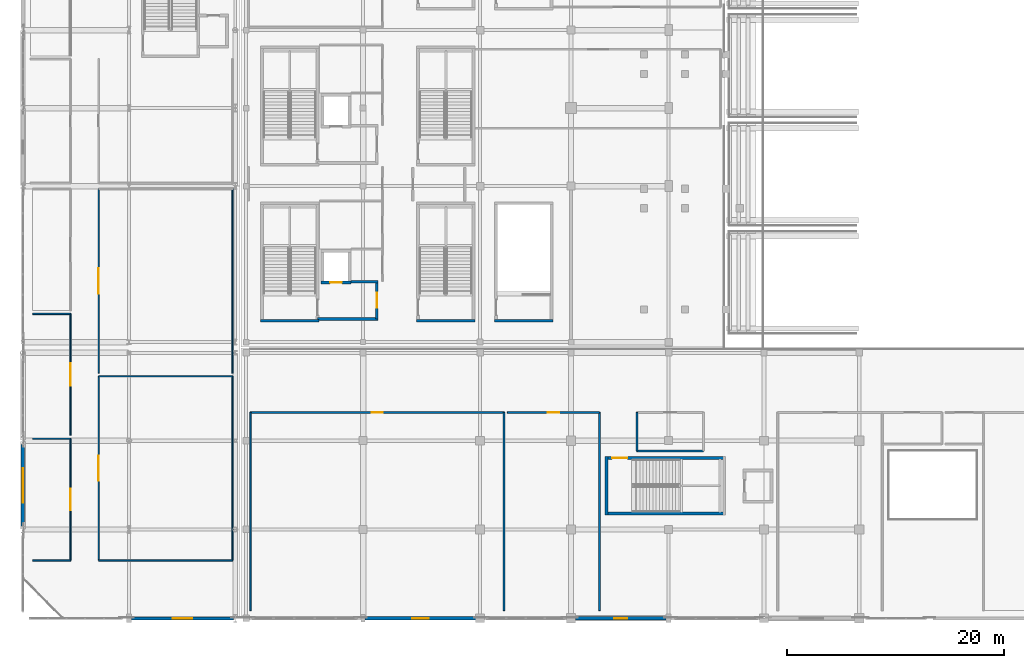
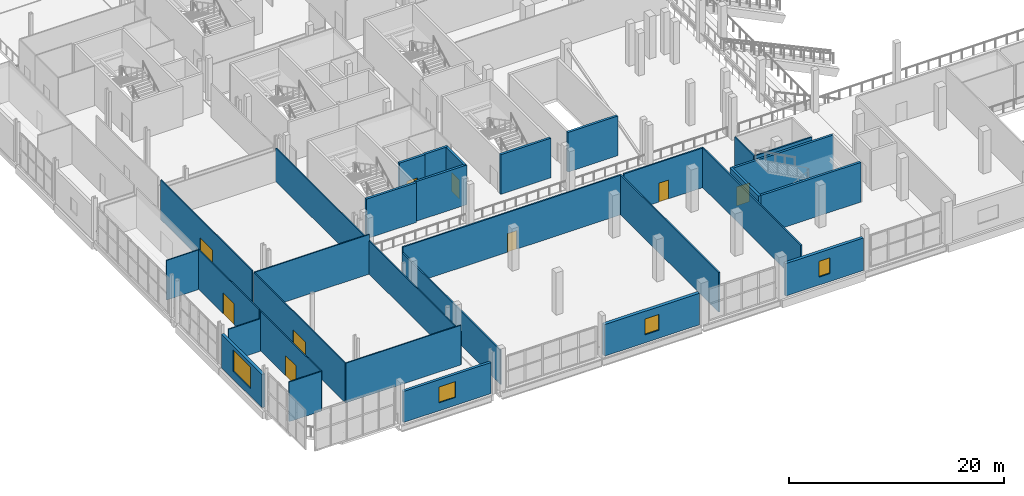
# One storey, part 69 of 129: 32 walls, 9 doors, 4 windows, 13 openings.
"""IFC4 building model written with IfcOpenShell, lengths in metres."""

from ifc_helpers import new_model, si_unit, direction, frame, frame_2d, origin, place, context, subcontext, project, spatial, rectangle, extrude, material, layer, layer_set, type_object, element, fill, save


model = new_model("IFC4")

# Units and contexts
model_context = context("Model", 3, precision=1e-05, world=origin(), true_north=direction((0.0, 1.0)))
body_context = subcontext(model_context, "Body", "Model", "MODEL_VIEW")
ifc_project = project(units=[si_unit("LENGTHUNIT", "METRE"), si_unit("AREAUNIT", "SQUARE_METRE"), si_unit("VOLUMEUNIT", "CUBIC_METRE"), si_unit("PLANEANGLEUNIT", "RADIAN"), si_unit("MASSUNIT", "GRAM", prefix="KILO")], contexts=[model_context])

# Site, building, storey
site_placement = place(None, origin())
site = spatial("IfcSite", under=ifc_project, at=site_placement, CompositionType="ELEMENT")
building_placement = place(site_placement, origin())
building = spatial("IfcBuilding", under=site, at=building_placement, Name="Koshinbarg Plaza Stadium", CompositionType="ELEMENT")
storey_placement = place(building_placement, frame((0.0, 0.0, 5.39990234375)))
storey = spatial("IfcBuildingStorey", under=building, at=storey_placement, Name="L01", CompositionType="ELEMENT", Elevation=5.39990234375)

# Walls
ifc_material_1 = material(Name="Concrete C40/50", Category="concrete")
ifc_layer_1 = layer(ifc_material_1, 0.25)
ifc_layer_set_1 = layer_set([ifc_layer_1], Name="Concrete C40/50")
wall_type_1 = type_object("IfcWallType", Name="WL-CORE-250", PredefinedType="SHEAR", material=ifc_layer_set_1)
wall_1_placement = place(storey_placement, frame((25.949951171875, 27.47509765625, 0.0), z_axis=(0.0, 0.0, 1.0), x_axis=(1.0, 0.0, 0.0)))
element("IfcWall", 1, at=wall_1_placement, inside=storey, type_object=wall_type_1, Name="L01 core stair shear wall C01-near IWL-L01-0005", PredefinedType="SHEAR", context=body_context, shape_type="SweptSolid", body=[
    extrude(rectangle(XDim=5.3701171875, YDim=0.25, at=frame_2d((2.68505859375, 0.0))), origin(), (0.0, 0.0, 1.0), 4.5),
])
wall_2_placement = place(storey_placement, frame((57.875, 14.919921875, 0.0), z_axis=(0.0, 0.0, 1.0), x_axis=(0.0, -1.0, 0.0)))
element("IfcWall", 2, at=wall_2_placement, inside=storey, type_object=wall_type_1, Name="L01 core stair shear wall C13-near IWL-L01-0294", PredefinedType="SHEAR", context=body_context, shape_type="SweptSolid", body=[
    extrude(rectangle(XDim=5.369873046875, YDim=0.25, at=frame_2d((2.68505859375, 0.0))), origin(), (0.0, 0.0, 1.0), 4.5),
])

# Wall, opening, door
wall_3_placement = place(storey_placement, frame((57.875, 14.794921875, 0.0), z_axis=(0.0, 0.0, 1.0), x_axis=(1.0, 0.0, 0.0)))
wall_3 = element("IfcWall", 3, at=wall_3_placement, inside=storey, type_object=wall_type_1, Name="L01 core stair shear wall C13-left IWL-L01-0296", PredefinedType="SHEAR", context=body_context, shape_type="SweptSolid", body=[
    extrude(rectangle(XDim=10.85009765625, YDim=0.25, at=frame_2d((5.425048828125, 0.0))), origin(), (0.0, 0.0, 1.0), 4.5),
])
opening_1_placement = place(wall_3_placement, frame((0.52001953125, 0.0, 0.0)))
opening_1 = element("IfcOpeningElement", 4, at=opening_1_placement, cuts=wall_3, Name="Opening D-0136", PredefinedType="OPENING", context=body_context, shape_type="SweptSolid", body=[
    extrude(rectangle(XDim=1.39990234375, YDim=2.14990234375, at=frame_2d((0.699951171875, 1.074951171875))), frame((0.0, 0.135009765625, 0.0), z_axis=(0.0, -1.0, 0.0), x_axis=(1.0, 0.0, 0.0)), (0.0, 0.0, 1.0), 0.27001953125),
])
ifc_material_2 = material(Name="Painted galvanized steel fire door", Category="steel")
door_type_1 = type_object("IfcDoorType", Name="DR-STAIR-1400", OperationType="NOTDEFINED", PredefinedType="DOOR", material=ifc_material_2)
door_1_placement = place(opening_1_placement, frame((1.39990234375, 0.0, 0.0), z_axis=(0.0, 0.0, 1.0), x_axis=(-1.0, 0.0, 0.0)))
door_1 = element("IfcDoor", 5, at=door_1_placement, inside=storey, type_object=door_type_1, Name="L01 exit stair door C13", OperationType="SINGLE_SWING_RIGHT", OverallHeight=2.14990234375, OverallWidth=1.39990234375, PredefinedType="DOOR", context=body_context, shape_type="SweptSolid", body=[
    extrude(rectangle(XDim=1.39990234375, YDim=2.14990234375, at=frame_2d((0.699951171875, 1.074951171875))), frame((0.0, 0.02490234375, 0.0), z_axis=(0.0, -1.0, 0.0), x_axis=(1.0, 0.0, 0.0)), (0.0, 0.0, 1.0), 0.050048828125),
])
fill(opening_1, door_1)

# Walls
wall_4_placement = place(storey_placement, frame((57.875, 9.675048828125, 0.0), z_axis=(0.0, 0.0, 1.0), x_axis=(1.0, 0.0, 0.0)))
element("IfcWall", 6, at=wall_4_placement, inside=storey, type_object=wall_type_1, Name="L01 core stair shear wall C13-right IWL-L01-0297", PredefinedType="SHEAR", context=body_context, shape_type="SweptSolid", body=[
    extrude(rectangle(XDim=10.85009765625, YDim=0.25, at=frame_2d((5.425048828125, 0.0))), origin(), (0.0, 0.0, 1.0), 4.5),
])
for number, where, z_axis, x_axis, name in (
    (7, (40.35009765625, 27.47509765625, 0.0), (0.0, 0.0, 1.0), (1.0, 0.0, 0.0), "L01 vomitory stair shear wall VX01-near IWL-L01-0358"),
    (8, (47.550048828125, 27.47509765625, 0.0), (0.0, 0.0, 1.0), (1.0, 0.0, 0.0), "L01 vomitory stair shear wall VL01-near IWL-L01-0550"),
):
    element("IfcWall", number, at=place(storey_placement, frame(where, z_axis=z_axis, x_axis=x_axis)), inside=storey, type_object=wall_type_1, Name=name, PredefinedType="SHEAR", context=body_context, shape_type="SweptSolid", body=[
        extrude(rectangle(XDim=5.369873046875, YDim=0.25, at=frame_2d((2.68505859375, 0.0))), origin(), (0.0, 0.0, 1.0), 4.5),
    ])

# Wall, opening, door
wall_5_placement = place(storey_placement, frame((31.52490234375, 31.0, 0.0), z_axis=(0.0, 0.0, 1.0), x_axis=(1.0, 0.0, 0.0)))
wall_5 = element("IfcWall", 9, at=wall_5_placement, inside=storey, type_object=wall_type_1, Name="L01 lift shaft shear wall FL01-S IWL-L01-0617", PredefinedType="SHEAR", context=body_context, shape_type="SweptSolid", body=[
    extrude(rectangle(XDim=2.75, YDim=0.25, at=frame_2d((1.375, 0.0))), origin(), (0.0, 0.0, 1.0), 4.5),
])
opening_2_placement = place(wall_5_placement, frame((0.824951171875, 0.0, 0.0)))
opening_2 = element("IfcOpeningElement", 10, at=opening_2_placement, cuts=wall_5, Name="Opening D-0217", PredefinedType="OPENING", context=body_context, shape_type="SweptSolid", body=[
    extrude(rectangle(XDim=1.10009765625, YDim=2.14990234375, at=frame_2d((0.550048828125, 1.074951171875))), frame((0.0, 0.135009765625, 0.0), z_axis=(0.0, -1.0, 0.0), x_axis=(1.0, 0.0, 0.0)), (0.0, 0.0, 1.0), 0.27001953125),
])
ifc_material_3 = material(Name="Brushed stainless steel sliding lift landing door", Category="steel")
door_type_2 = type_object("IfcDoorType", Name="DR-LIFT-1100", OperationType="NOTDEFINED", PredefinedType="DOOR", material=ifc_material_3)
door_2_placement = place(opening_2_placement, origin())
door_2 = element("IfcDoor", 11, at=door_2_placement, inside=storey, type_object=door_type_2, Name="L01 lift landing door FL01", OperationType="SLIDING_TO_RIGHT", OverallHeight=2.14990234375, OverallWidth=1.10009765625, PredefinedType="DOOR", context=body_context, shape_type="SweptSolid", body=[
    extrude(rectangle(XDim=1.10009765625, YDim=2.14990234375, at=frame_2d((0.550048828125, 1.074951171875))), frame((0.0, 0.02490234375, 0.0), z_axis=(0.0, -1.0, 0.0), x_axis=(1.0, 0.0, 0.0)), (0.0, 0.0, 1.0), 0.050048828125),
])
fill(opening_2, door_2)

wall_6_placement = place(storey_placement, frame((36.675048828125, 27.625, 0.0), z_axis=(0.0, 0.0, 1.0), x_axis=(0.0, 1.0, 0.0)))
wall_6 = element("IfcWall", 12, at=wall_6_placement, inside=storey, type_object=wall_type_1, Name="L01 firefighting lobby wall C01-E IWL-L01-0621", PredefinedType="SHEAR", context=body_context, shape_type="SweptSolid", body=[
    extrude(rectangle(XDim=3.449951171875, YDim=0.25, at=frame_2d((1.72509765625, 0.0))), origin(), (0.0, 0.0, 1.0), 4.5),
])
opening_3_placement = place(wall_6_placement, frame((1.02490234375, 0.0, 0.0)))
opening_3 = element("IfcOpeningElement", 13, at=opening_3_placement, cuts=wall_6, Name="Opening D-0218", PredefinedType="OPENING", context=body_context, shape_type="SweptSolid", body=[
    extrude(rectangle(XDim=1.39990234375, YDim=2.14990234375, at=frame_2d((0.699951171875, 1.074951171875))), frame((0.0, 0.135009765625, 0.0), z_axis=(0.0, -1.0, 0.0), x_axis=(1.0, 0.0, 0.0)), (0.0, 0.0, 1.0), 0.27001953125),
])
ifc_material_4 = material(Name="Smoke-sealed steel firefighting lobby door", Category="steel")
door_type_3 = type_object("IfcDoorType", Name="DR-FFLOB-1400", OperationType="NOTDEFINED", PredefinedType="DOOR", material=ifc_material_4)
door_3_placement = place(opening_3_placement, origin())
door_3 = element("IfcDoor", 14, at=door_3_placement, inside=storey, type_object=door_type_3, Name="L01 firefighting lobby fire door C01", OperationType="DOUBLE_DOOR_SINGLE_SWING", OverallHeight=2.14990234375, OverallWidth=1.39990234375, PredefinedType="DOOR", context=body_context, shape_type="SweptSolid", body=[
    extrude(rectangle(XDim=1.39990234375, YDim=2.14990234375, at=frame_2d((0.699951171875, 1.074951171875))), frame((0.0, 0.02490234375, 0.0), z_axis=(0.0, -1.0, 0.0), x_axis=(1.0, 0.0, 0.0)), (0.0, 0.0, 1.0), 0.050048828125),
])
fill(opening_3, door_3)

# Walls
wall_7_placement = place(storey_placement, frame((34.27490234375, 31.074951171875, 0.0), z_axis=(0.0, 0.0, 1.0), x_axis=(1.0, 0.0, 0.0)))
element("IfcWall", 15, at=wall_7_placement, inside=storey, type_object=wall_type_1, Name="L01 firefighting lobby wall C01-NE IWL-L01-0622", PredefinedType="SHEAR", context=body_context, shape_type="SweptSolid", body=[
    extrude(rectangle(XDim=2.525146484375, YDim=0.25, at=frame_2d((1.2626953125, 0.0))), origin(), (0.0, 0.0, 1.0), 4.5),
])
wall_8_placement = place(storey_placement, frame((31.199951171875, 27.625, 0.0), z_axis=(0.0, 0.0, 1.0), x_axis=(1.0, 0.0, 0.0)))
element("IfcWall", 16, at=wall_8_placement, inside=storey, type_object=wall_type_1, Name="L01 firefighting lobby wall C01-S IWL-L01-0623", PredefinedType="SHEAR", context=body_context, shape_type="SweptSolid", body=[
    extrude(rectangle(XDim=5.60009765625, YDim=0.25, at=frame_2d((2.800048828125, 0.0))), origin(), (0.0, 0.0, 1.0), 4.5),
])

# Wall, opening, window
ifc_material_5 = material(Name="Terracotta-ochre mineral plaster insulated wall", Category="masonry")
ifc_layer_2 = layer(ifc_material_5, 0.280029296875)
ifc_layer_set_2 = layer_set([ifc_layer_2], Name="Terracotta-ochre mineral plaster insulated wall")
wall_type_2 = type_object("IfcWallType", Name="WL-EXT-280", PredefinedType="SOLIDWALL", material=ifc_layer_set_2)
wall_9_placement = place(storey_placement, frame((23.455078125, 0.0, 0.0), z_axis=(0.0, 0.0, 1.0), x_axis=(-1.0, 0.0, 0.0)))
wall_9 = element("IfcWall", 17, at=wall_9_placement, inside=storey, type_object=wall_type_2, Name="L01 exterior envelope wall EWL-L01-0108", PredefinedType="SOLIDWALL", context=body_context, shape_type="SweptSolid", body=[
    extrude(rectangle(XDim=9.43505859375, YDim=0.280029296875, at=frame_2d((4.717529296875, 0.0))), origin(), (0.0, 0.0, 1.0), 3.530029296875),
])
opening_4_placement = place(wall_9_placement, frame((3.8173828125, 0.0, 0.89990234375)))
opening_4 = element("IfcOpeningElement", 18, at=opening_4_placement, cuts=wall_9, Name="Opening WN09", PredefinedType="OPENING", context=body_context, shape_type="SweptSolid", body=[
    extrude(rectangle(XDim=1.800048828125, YDim=1.800048828125, at=frame_2d((0.89990234375, 0.89990234375))), frame((0.0, 0.14990234375, 0.0), z_axis=(0.0, -1.0, 0.0), x_axis=(1.0, 0.0, 0.0)), (0.0, 0.0, 1.0), 0.300048828125),
])
ifc_material_6 = material(Name="Solar-control double glazing in thermally broken aluminium frame", Category="aluminium")
window_type_1 = type_object("IfcWindowType", Name="WN-FAC-09", PartitioningType="DOUBLE_PANEL_VERTICAL", PredefinedType="WINDOW", material=ifc_material_6)
window_1_placement = place(opening_4_placement, origin())
window_1 = element("IfcWindow", 19, at=window_1_placement, inside=storey, type_object=window_type_1, Name="L01 facade window 0047", OverallHeight=1.800048828125, OverallWidth=1.800048828125, PartitioningType="SINGLE_PANEL", PredefinedType="WINDOW", context=body_context, shape_type="SweptSolid", body=[
    extrude(rectangle(XDim=1.800048828125, YDim=1.800048828125, at=frame_2d((0.89990234375, 0.89990234375))), frame((0.0, 0.030029296875, 0.0), z_axis=(0.0, -1.0, 0.0), x_axis=(1.0, 0.0, 0.0)), (0.0, 0.0, 1.0), 0.06005859375),
])
fill(opening_4, window_1)

ifc_material_7 = material(Name="Off-white mineral plaster insulated wall", Category="masonry")
ifc_layer_3 = layer(ifc_material_7, 0.300048828125)
ifc_layer_set_3 = layer_set([ifc_layer_3], Name="Off-white mineral plaster insulated wall")
wall_type_3 = type_object("IfcWallType", Name="WL-EXT-300", PredefinedType="SOLIDWALL", material=ifc_layer_set_3)
wall_10_placement = place(storey_placement, frame((4.0, 8.4951171875, 0.0), z_axis=(0.0, 0.0, 1.0), x_axis=(0.0, 1.0, 0.0)))
wall_10 = element("IfcWall", 20, at=wall_10_placement, inside=storey, type_object=wall_type_3, Name="L01 exterior envelope wall EWL-L01-0073", PredefinedType="SOLIDWALL", context=body_context, shape_type="SweptSolid", body=[
    extrude(rectangle(XDim=7.559814453125, YDim=0.300048828125, at=frame_2d((3.77978515625, 0.0))), origin(), (0.0, 0.0, 1.0), 3.780029296875),
])
opening_5_placement = place(wall_10_placement, frame((2.179931640625, 0.0, 0.89990234375)))
opening_5 = element("IfcOpeningElement", 21, at=opening_5_placement, cuts=wall_10, Name="Opening WN22", PredefinedType="OPENING", context=body_context, shape_type="SweptSolid", body=[
    extrude(rectangle(XDim=3.199951171875, YDim=2.39990234375, at=frame_2d((1.60009765625, 1.199951171875))), frame((0.0, 0.159912109375, 0.0), z_axis=(0.0, -1.0, 0.0), x_axis=(1.0, 0.0, 0.0)), (0.0, 0.0, 1.0), 0.320068359375),
])
window_type_2 = type_object("IfcWindowType", Name="WN-FAC-22", PartitioningType="DOUBLE_PANEL_VERTICAL", PredefinedType="WINDOW", material=ifc_material_6)
window_2_placement = place(opening_5_placement, origin())
window_2 = element("IfcWindow", 22, at=window_2_placement, inside=storey, type_object=window_type_2, Name="L01 facade window 0016", OverallHeight=2.39990234375, OverallWidth=3.199951171875, PartitioningType="SINGLE_PANEL", PredefinedType="WINDOW", context=body_context, shape_type="SweptSolid", body=[
    extrude(rectangle(XDim=3.199951171875, YDim=2.39990234375, at=frame_2d((1.60009765625, 1.199951171875))), frame((0.0, 0.030029296875, 0.0), z_axis=(0.0, -1.0, 0.0), x_axis=(1.0, 0.0, 0.0)), (0.0, 0.0, 1.0), 0.06005859375),
])
fill(opening_5, window_2)

ifc_material_8 = material(Name="Ultramarine-blue pigmented mineral plaster facade wall", Category="masonry")
ifc_layer_4 = layer(ifc_material_8, 0.320068359375)
ifc_layer_set_4 = layer_set([ifc_layer_4], Name="Ultramarine-blue pigmented mineral plaster facade wall")
wall_type_4 = type_object("IfcWallType", Name="WL-EXT-320", PredefinedType="SOLIDWALL", material=ifc_layer_set_4)
wall_11_placement = place(storey_placement, frame((63.3798828125, 0.0, 0.0), z_axis=(0.0, 0.0, 1.0), x_axis=(-1.0, 0.0, 0.0)))
wall_11 = element("IfcWall", 23, at=wall_11_placement, inside=storey, type_object=wall_type_4, Name="L01 exterior envelope wall EWL-L01-0106", PredefinedType="SOLIDWALL", context=body_context, shape_type="SweptSolid", body=[
    extrude(rectangle(XDim=8.35986328125, YDim=0.320068359375, at=frame_2d((4.179931640625, 0.0))), origin(), (0.0, 0.0, 1.0), 3.68017578125),
])
opening_6_placement = place(wall_11_placement, frame((3.580078125, 0.0, 0.89990234375)))
opening_6 = element("IfcOpeningElement", 24, at=opening_6_placement, cuts=wall_11, Name="Opening WN07", PredefinedType="OPENING", context=body_context, shape_type="SweptSolid", body=[
    extrude(rectangle(XDim=1.199951171875, YDim=1.800048828125, at=frame_2d((0.60009765625, 0.89990234375))), frame((0.0, 0.169921875, 0.0), z_axis=(0.0, -1.0, 0.0), x_axis=(1.0, 0.0, 0.0)), (0.0, 0.0, 1.0), 0.340087890625),
])
window_type_3 = type_object("IfcWindowType", Name="WN-FAC-07", PartitioningType="DOUBLE_PANEL_VERTICAL", PredefinedType="WINDOW", material=ifc_material_6)
window_3_placement = place(opening_6_placement, origin())
window_3 = element("IfcWindow", 25, at=window_3_placement, inside=storey, type_object=window_type_3, Name="L01 facade window 0045", OverallHeight=1.800048828125, OverallWidth=1.199951171875, PartitioningType="SINGLE_PANEL", PredefinedType="WINDOW", context=body_context, shape_type="SweptSolid", body=[
    extrude(rectangle(XDim=1.199951171875, YDim=1.800048828125, at=frame_2d((0.60009765625, 0.89990234375))), frame((0.0, 0.030029296875, 0.0), z_axis=(0.0, -1.0, 0.0), x_axis=(1.0, 0.0, 0.0)), (0.0, 0.0, 1.0), 0.06005859375),
])
fill(opening_6, window_3)

ifc_material_9 = material(Name="Acoustic insulated masonry stadium wall", Category="masonry")
ifc_layer_5 = layer(ifc_material_9, 0.35009765625)
ifc_layer_set_5 = layer_set([ifc_layer_5], Name="Acoustic insulated masonry stadium wall")
wall_type_5 = type_object("IfcWallType", Name="WL-EXT-350", PredefinedType="SOLIDWALL", material=ifc_layer_set_5)
wall_12_placement = place(storey_placement, frame((45.804931640625, 0.0, 0.0), z_axis=(0.0, 0.0, 1.0), x_axis=(-1.0, 0.0, 0.0)))
wall_12 = element("IfcWall", 26, at=wall_12_placement, inside=storey, type_object=wall_type_5, Name="L01 exterior envelope wall EWL-L01-0107", PredefinedType="SOLIDWALL", context=body_context, shape_type="SweptSolid", body=[
    extrude(rectangle(XDim=10.2099609375, YDim=0.35009765625, at=frame_2d((5.10498046875, 0.0))), origin(), (0.0, 0.0, 1.0), 3.580078125),
])
opening_7_placement = place(wall_12_placement, frame((4.35498046875, 0.0, 0.89990234375)))
opening_7 = element("IfcOpeningElement", 27, at=opening_7_placement, cuts=wall_12, Name="Opening WN08", PredefinedType="OPENING", context=body_context, shape_type="SweptSolid", body=[
    extrude(rectangle(XDim=1.5, YDim=1.800048828125, at=frame_2d((0.75, 0.89990234375))), frame((0.0, 0.18505859375, 0.0), z_axis=(0.0, -1.0, 0.0), x_axis=(1.0, 0.0, 0.0)), (0.0, 0.0, 1.0), 0.3701171875),
])
window_type_4 = type_object("IfcWindowType", Name="WN-FAC-08", PartitioningType="DOUBLE_PANEL_VERTICAL", PredefinedType="WINDOW", material=ifc_material_6)
window_4_placement = place(opening_7_placement, origin())
window_4 = element("IfcWindow", 28, at=window_4_placement, inside=storey, type_object=window_type_4, Name="L01 facade window 0046", OverallHeight=1.800048828125, OverallWidth=1.5, PartitioningType="SINGLE_PANEL", PredefinedType="WINDOW", context=body_context, shape_type="SweptSolid", body=[
    extrude(rectangle(XDim=1.5, YDim=1.800048828125, at=frame_2d((0.75, 0.89990234375))), frame((0.0, 0.030029296875, 0.0), z_axis=(0.0, -1.0, 0.0), x_axis=(1.0, 0.0, 0.0)), (0.0, 0.0, 1.0), 0.06005859375),
])
fill(opening_7, window_4)

# Wall
ifc_material_10 = material(Name="Gypsum board metal-stud acoustic partition")
ifc_layer_6 = layer(ifc_material_10, 0.1201171875)
ifc_layer_set_6 = layer_set([ifc_layer_6], Name="Gypsum board metal-stud acoustic partition")
wall_type_6 = type_object("IfcWallType", Name="WL-PART-120", PredefinedType="PARTITIONING", material=ifc_layer_set_6)
wall_13_placement = place(storey_placement, frame((4.89990234375, 5.35009765625, 0.0), z_axis=(0.0, 0.0, 1.0), x_axis=(1.0, 0.0, 0.0)))
element("IfcWall", 29, at=wall_13_placement, inside=storey, type_object=wall_type_6, Name="L01 interior partition L01-167-south IWL-L01-1589", PredefinedType="PARTITIONING", context=body_context, shape_type="SweptSolid", body=[
    extrude(rectangle(XDim=3.5, YDim=0.1201171875, at=frame_2d((1.75, 0.0))), origin(), (0.0, 0.0, 1.0), 4.5),
])

# Wall, opening, door
wall_14_placement = place(storey_placement, frame((8.39990234375, 5.35009765625, 0.0), z_axis=(0.0, 0.0, 1.0), x_axis=(0.0, 1.0, 0.0)))
wall_14 = element("IfcWall", 30, at=wall_14_placement, inside=storey, type_object=wall_type_6, Name="L01 interior partition L01-167-east IWL-L01-1590", PredefinedType="PARTITIONING", context=body_context, shape_type="SweptSolid", body=[
    extrude(rectangle(XDim=11.2265625, YDim=0.1201171875, at=frame_2d((5.61328125, 0.0))), origin(), (0.0, 0.0, 1.0), 4.5),
])
opening_8_placement = place(wall_14_placement, frame((4.63330078125, 0.0, 0.0)))
opening_8 = element("IfcOpeningElement", 31, at=opening_8_placement, cuts=wall_14, Name="Opening D-0533", PredefinedType="OPENING", context=body_context, shape_type="SweptSolid", body=[
    extrude(rectangle(XDim=1.9599609375, YDim=2.300048828125, at=frame_2d((0.97998046875, 1.14990234375))), frame((0.0, 0.070068359375, 0.0), z_axis=(0.0, -1.0, 0.0), x_axis=(1.0, 0.0, 0.0)), (0.0, 0.0, 1.0), 0.14013671875),
])
ifc_material_11 = material(Name="Bronze-anodised aluminium glazed double door", Category="aluminium")
door_type_4 = type_object("IfcDoorType", Name="DR-INT-1960x2300", OperationType="NOTDEFINED", PredefinedType="DOOR", material=ifc_material_11)
door_4_placement = place(opening_8_placement, origin())
door_4 = element("IfcDoor", 32, at=door_4_placement, inside=storey, type_object=door_type_4, Name="L01 Press Briefing Salon door D-0533", OperationType="DOUBLE_DOOR_SINGLE_SWING", OverallHeight=2.300048828125, OverallWidth=1.9599609375, PredefinedType="DOOR", context=body_context, shape_type="SweptSolid", body=[
    extrude(rectangle(XDim=1.9599609375, YDim=2.300048828125, at=frame_2d((0.97998046875, 1.14990234375))), frame((0.0, 0.02490234375, 0.0), z_axis=(0.0, -1.0, 0.0), x_axis=(1.0, 0.0, 0.0)), (0.0, 0.0, 1.0), 0.050048828125),
])
fill(opening_8, door_4)

# Wall
wall_15_placement = place(storey_placement, frame((8.39990234375, 16.57666015625, 0.0), z_axis=(0.0, 0.0, 1.0), x_axis=(-1.0, 0.0, 0.0)))
element("IfcWall", 33, at=wall_15_placement, inside=storey, type_object=wall_type_6, Name="L01 interior partition L01-167-north IWL-L01-1591", PredefinedType="PARTITIONING", context=body_context, shape_type="SweptSolid", body=[
    extrude(rectangle(XDim=3.5, YDim=0.1201171875, at=frame_2d((1.75, 0.0))), origin(), (0.0, 0.0, 1.0), 3.68017578125),
])

# Wall, opening, door
wall_16_placement = place(storey_placement, frame((8.39990234375, 16.876708984375, 0.0), z_axis=(0.0, 0.0, 1.0), x_axis=(0.0, 1.0, 0.0)))
wall_16 = element("IfcWall", 34, at=wall_16_placement, inside=storey, type_object=wall_type_6, Name="L01 interior partition L01-168-east IWL-L01-1592", PredefinedType="PARTITIONING", context=body_context, shape_type="SweptSolid", body=[
    extrude(rectangle(XDim=11.2265625, YDim=0.1201171875, at=frame_2d((5.61328125, 0.0))), origin(), (0.0, 0.0, 1.0), 4.5),
])
opening_9_placement = place(wall_16_placement, frame((4.5732421875, 0.0, 0.0)))
opening_9 = element("IfcOpeningElement", 35, at=opening_9_placement, cuts=wall_16, Name="Opening D-0534", PredefinedType="OPENING", context=body_context, shape_type="SweptSolid", body=[
    extrude(rectangle(XDim=2.080078125, YDim=2.35009765625, at=frame_2d((1.0400390625, 1.175048828125))), frame((0.0, 0.070068359375, 0.0), z_axis=(0.0, -1.0, 0.0), x_axis=(1.0, 0.0, 0.0)), (0.0, 0.0, 1.0), 0.14013671875),
])
ifc_material_12 = material(Name="Laminated safety glass aluminium vestibule door", Category="aluminium")
door_type_5 = type_object("IfcDoorType", Name="DR-INT-2080x2350", OperationType="NOTDEFINED", PredefinedType="DOOR", material=ifc_material_12)
door_5_placement = place(opening_9_placement, origin())
door_5 = element("IfcDoor", 36, at=door_5_placement, inside=storey, type_object=door_type_5, Name="L01 Southwest Shade Arcade Concourse door D-0534", OperationType="DOUBLE_DOOR_SINGLE_SWING", OverallHeight=2.35009765625, OverallWidth=2.080078125, PredefinedType="DOOR", context=body_context, shape_type="SweptSolid", body=[
    extrude(rectangle(XDim=2.080078125, YDim=2.35009765625, at=frame_2d((1.0400390625, 1.175048828125))), frame((0.0, 0.02490234375, 0.0), z_axis=(0.0, -1.0, 0.0), x_axis=(1.0, 0.0, 0.0)), (0.0, 0.0, 1.0), 0.050048828125),
])
fill(opening_9, door_5)

# Walls
wall_17_placement = place(storey_placement, frame((8.39990234375, 28.103271484375, 0.0), z_axis=(0.0, 0.0, 1.0), x_axis=(-1.0, 0.0, 0.0)))
element("IfcWall", 37, at=wall_17_placement, inside=storey, type_object=wall_type_6, Name="L01 interior partition L01-168-north IWL-L01-1593", PredefinedType="PARTITIONING", context=body_context, shape_type="SweptSolid", body=[
    extrude(rectangle(XDim=3.5, YDim=0.1201171875, at=frame_2d((1.75, 0.0))), origin(), (0.0, 0.0, 1.0), 4.5),
])
wall_18_placement = place(storey_placement, frame((11.0, 5.35009765625, 0.0), z_axis=(0.0, 0.0, 1.0), x_axis=(1.0, 0.0, 0.0)))
element("IfcWall", 38, at=wall_18_placement, inside=storey, type_object=wall_type_6, Name="L01 interior partition L01-170-south IWL-L01-1596", PredefinedType="PARTITIONING", context=body_context, shape_type="SweptSolid", body=[
    extrude(rectangle(XDim=12.35498046875, YDim=0.1201171875, at=frame_2d((6.177490234375, 0.0))), origin(), (0.0, 0.0, 1.0), 4.5),
])
wall_19_placement = place(storey_placement, frame((23.35498046875, 5.35009765625, 0.0), z_axis=(0.0, 0.0, 1.0), x_axis=(0.0, 1.0, 0.0)))
element("IfcWall", 39, at=wall_19_placement, inside=storey, type_object=wall_type_6, Name="L01 interior partition L01-170-east IWL-L01-1597", PredefinedType="PARTITIONING", context=body_context, shape_type="SweptSolid", body=[
    extrude(rectangle(XDim=16.989990234375, YDim=0.1201171875, at=frame_2d((8.4951171875, 0.0))), origin(), (0.0, 0.0, 1.0), 3.780029296875),
])
wall_20_placement = place(storey_placement, frame((23.35498046875, 22.340087890625, 0.0), z_axis=(0.0, 0.0, 1.0), x_axis=(-1.0, 0.0, 0.0)))
element("IfcWall", 40, at=wall_20_placement, inside=storey, type_object=wall_type_6, Name="L01 interior partition L01-170-north IWL-L01-1598", PredefinedType="PARTITIONING", context=body_context, shape_type="SweptSolid", body=[
    extrude(rectangle(XDim=12.35498046875, YDim=0.1201171875, at=frame_2d((6.177490234375, 0.0))), origin(), (0.0, 0.0, 1.0), 4.5),
])

# Wall, opening, door
wall_21_placement = place(storey_placement, frame((11.0, 22.340087890625, 0.0), z_axis=(0.0, 0.0, 1.0), x_axis=(0.0, -1.0, 0.0)))
wall_21 = element("IfcWall", 41, at=wall_21_placement, inside=storey, type_object=wall_type_6, Name="L01 interior partition L01-170-west IWL-L01-1599", PredefinedType="PARTITIONING", context=body_context, shape_type="SweptSolid", body=[
    extrude(rectangle(XDim=16.989990234375, YDim=0.1201171875, at=frame_2d((8.4951171875, 0.0))), origin(), (0.0, 0.0, 1.0), 4.5),
])
opening_10_placement = place(wall_21_placement, frame((7.35498046875, 0.0, 0.0)))
opening_10 = element("IfcOpeningElement", 42, at=opening_10_placement, cuts=wall_21, Name="Opening D-0536", PredefinedType="OPENING", context=body_context, shape_type="SweptSolid", body=[
    extrude(rectangle(XDim=2.280029296875, YDim=2.39990234375, at=frame_2d((1.14013671875, 1.199951171875))), frame((0.0, 0.070068359375, 0.0), z_axis=(0.0, -1.0, 0.0), x_axis=(1.0, 0.0, 0.0)), (0.0, 0.0, 1.0), 0.14013671875),
])
ifc_material_13 = material(Name="Anodised aluminium and laminated glass portal door", Category="aluminium")
door_type_6 = type_object("IfcDoorType", Name="DR-INT-2280x2400", OperationType="NOTDEFINED", PredefinedType="DOOR", material=ifc_material_13)
door_6_placement = place(opening_10_placement, origin())
door_6 = element("IfcDoor", 43, at=door_6_placement, inside=storey, type_object=door_type_6, Name="L01 Southwest Shade Arcade Concourse door D-0536", OperationType="DOUBLE_DOOR_SINGLE_SWING", OverallHeight=2.39990234375, OverallWidth=2.280029296875, PredefinedType="DOOR", context=body_context, shape_type="SweptSolid", body=[
    extrude(rectangle(XDim=2.280029296875, YDim=2.39990234375, at=frame_2d((1.14013671875, 1.199951171875))), frame((0.0, 0.02490234375, 0.0), z_axis=(0.0, -1.0, 0.0), x_axis=(1.0, 0.0, 0.0)), (0.0, 0.0, 1.0), 0.050048828125),
])
fill(opening_10, door_6)

# Wall
wall_22_placement = place(storey_placement, frame((23.35498046875, 22.639892578125, 0.0), z_axis=(0.0, 0.0, 1.0), x_axis=(0.0, 1.0, 0.0)))
element("IfcWall", 44, at=wall_22_placement, inside=storey, type_object=wall_type_6, Name="L01 interior partition L01-171-east IWL-L01-1600", PredefinedType="PARTITIONING", context=body_context, shape_type="SweptSolid", body=[
    extrude(rectangle(XDim=16.989990234375, YDim=0.1201171875, at=frame_2d((8.4951171875, 0.0))), origin(), (0.0, 0.0, 1.0), 3.780029296875),
])

# Wall, opening, door
wall_23_placement = place(storey_placement, frame((11.0, 39.6298828125, 0.0), z_axis=(0.0, 0.0, 1.0), x_axis=(0.0, -1.0, 0.0)))
wall_23 = element("IfcWall", 45, at=wall_23_placement, inside=storey, type_object=wall_type_6, Name="L01 interior partition L01-171-west IWL-L01-1602", PredefinedType="PARTITIONING", context=body_context, shape_type="SweptSolid", body=[
    extrude(rectangle(XDim=16.989990234375, YDim=0.1201171875, at=frame_2d((8.4951171875, 0.0))), origin(), (0.0, 0.0, 1.0), 4.5),
])
opening_11_placement = place(wall_23_placement, frame((7.31494140625, 0.0, 0.0)))
opening_11 = element("IfcOpeningElement", 46, at=opening_11_placement, cuts=wall_23, Name="Opening D-0537", PredefinedType="OPENING", context=body_context, shape_type="SweptSolid", body=[
    extrude(rectangle(XDim=2.360107421875, YDim=2.39990234375, at=frame_2d((1.18017578125, 1.199951171875))), frame((0.0, 0.070068359375, 0.0), z_axis=(0.0, -1.0, 0.0), x_axis=(1.0, 0.0, 0.0)), (0.0, 0.0, 1.0), 0.14013671875),
])
ifc_material_14 = material(Name="Powder-coated steel and tempered glass double door", Category="steel")
door_type_7 = type_object("IfcDoorType", Name="DR-INT-2360x2400", OperationType="NOTDEFINED", PredefinedType="DOOR", material=ifc_material_14)
door_7_placement = place(opening_11_placement, origin())
door_7 = element("IfcDoor", 47, at=door_7_placement, inside=storey, type_object=door_type_7, Name="L01 Media Welcome Lounge door D-0537", OperationType="DOUBLE_DOOR_SINGLE_SWING", OverallHeight=2.39990234375, OverallWidth=2.360107421875, PredefinedType="DOOR", context=body_context, shape_type="SweptSolid", body=[
    extrude(rectangle(XDim=2.360107421875, YDim=2.39990234375, at=frame_2d((1.18017578125, 1.199951171875))), frame((0.0, 0.02490234375, 0.0), z_axis=(0.0, -1.0, 0.0), x_axis=(1.0, 0.0, 0.0)), (0.0, 0.0, 1.0), 0.050048828125),
])
fill(opening_11, door_7)

# Wall
ifc_material_15 = material(Name="Double-layer gypsum acoustic suite partition")
ifc_layer_7 = layer(ifc_material_15, 0.14990234375)
ifc_layer_set_7 = layer_set([ifc_layer_7], Name="Double-layer gypsum acoustic suite partition")
wall_type_7 = type_object("IfcWallType", Name="WL-PART-150", PredefinedType="PARTITIONING", material=ifc_layer_set_7)
wall_24_placement = place(storey_placement, frame((48.41259765625, 0.699951171875, 0.0), z_axis=(0.0, 0.0, 1.0), x_axis=(0.0, 1.0, 0.0)))
element("IfcWall", 48, at=wall_24_placement, inside=storey, type_object=wall_type_7, Name="L01 interior partition L01-140-east IWL-L01-1516", PredefinedType="PARTITIONING", context=body_context, shape_type="SweptSolid", body=[
    extrude(rectangle(XDim=18.300048828125, YDim=0.14990234375, at=frame_2d((9.14990234375, 0.0))), origin(), (0.0, 0.0, 1.0), 4.5),
])

# Wall, opening, door
wall_25_placement = place(storey_placement, frame((48.41259765625, 19.0, 0.0), z_axis=(0.0, 0.0, 1.0), x_axis=(-1.0, 0.0, 0.0)))
wall_25 = element("IfcWall", 49, at=wall_25_placement, inside=storey, type_object=wall_type_7, Name="L01 interior partition L01-140-north IWL-L01-1517", PredefinedType="PARTITIONING", context=body_context, shape_type="SweptSolid", body=[
    extrude(rectangle(XDim=23.41748046875, YDim=0.14990234375, at=frame_2d((11.708740234375, 0.0))), origin(), (0.0, 0.0, 1.0), 4.5),
])
opening_12_placement = place(wall_25_placement, frame((11.208740234375, 0.0, 0.0)))
opening_12 = element("IfcOpeningElement", 50, at=opening_12_placement, cuts=wall_25, Name="Opening D-0506", PredefinedType="OPENING", context=body_context, shape_type="SweptSolid", body=[
    extrude(rectangle(XDim=1.0, YDim=2.10009765625, at=frame_2d((0.5, 1.050048828125))), frame((0.0, 0.0849609375, 0.0), z_axis=(0.0, -1.0, 0.0), x_axis=(1.0, 0.0, 0.0)), (0.0, 0.0, 1.0), 0.169921875),
])
ifc_material_16 = material(Name="Solid-core laminate accessible WC door")
door_type_8 = type_object("IfcDoorType", Name="DR-INT-1000x2100", OperationType="NOTDEFINED", PredefinedType="DOOR", material=ifc_material_16)
door_8_placement = place(opening_12_placement, origin())
door_8 = element("IfcDoor", 51, at=door_8_placement, inside=storey, type_object=door_type_8, Name="L01 Media Mixed Zone Hall door D-0506", OperationType="SINGLE_SWING_RIGHT", OverallHeight=2.10009765625, OverallWidth=1.0, PredefinedType="DOOR", context=body_context, shape_type="SweptSolid", body=[
    extrude(rectangle(XDim=1.0, YDim=2.10009765625, at=frame_2d((0.5, 1.050048828125))), frame((0.0, 0.02490234375, 0.0), z_axis=(0.0, -1.0, 0.0), x_axis=(1.0, 0.0, 0.0)), (0.0, 0.0, 1.0), 0.050048828125),
])
fill(opening_12, door_8)

# Walls
wall_26_placement = place(storey_placement, frame((24.9951171875, 19.0, 0.0), z_axis=(0.0, 0.0, 1.0), x_axis=(0.0, -1.0, 0.0)))
element("IfcWall", 52, at=wall_26_placement, inside=storey, type_object=wall_type_7, Name="L01 interior partition L01-140-west IWL-L01-1518", PredefinedType="PARTITIONING", context=body_context, shape_type="SweptSolid", body=[
    extrude(rectangle(XDim=18.300048828125, YDim=0.14990234375, at=frame_2d((9.14990234375, 0.0))), origin(), (0.0, 0.0, 1.0), 3.880126953125),
])
wall_27_placement = place(storey_placement, frame((57.219970703125, 0.699951171875, 0.0), z_axis=(0.0, 0.0, 1.0), x_axis=(0.0, 1.0, 0.0)))
element("IfcWall", 53, at=wall_27_placement, inside=storey, type_object=wall_type_7, Name="L01 interior partition L01-141-east IWL-L01-1519", PredefinedType="PARTITIONING", context=body_context, shape_type="SweptSolid", body=[
    extrude(rectangle(XDim=18.300048828125, YDim=0.14990234375, at=frame_2d((9.14990234375, 0.0))), origin(), (0.0, 0.0, 1.0), 4.5),
])

# Wall, opening, door
wall_28_placement = place(storey_placement, frame((57.219970703125, 19.0, 0.0), z_axis=(0.0, 0.0, 1.0), x_axis=(-1.0, 0.0, 0.0)))
wall_28 = element("IfcWall", 54, at=wall_28_placement, inside=storey, type_object=wall_type_7, Name="L01 interior partition L01-141-north IWL-L01-1520", PredefinedType="PARTITIONING", context=body_context, shape_type="SweptSolid", body=[
    extrude(rectangle(XDim=8.507568359375, YDim=0.14990234375, at=frame_2d((4.25390625, 0.0))), origin(), (0.0, 0.0, 1.0), 4.5),
])
opening_13_placement = place(wall_28_placement, frame((3.728759765625, 0.0, 0.0)))
opening_13 = element("IfcOpeningElement", 55, at=opening_13_placement, cuts=wall_28, Name="Opening D-0507", PredefinedType="OPENING", context=body_context, shape_type="SweptSolid", body=[
    extrude(rectangle(XDim=1.050048828125, YDim=2.14990234375, at=frame_2d((0.52490234375, 1.074951171875))), frame((0.0, 0.0849609375, 0.0), z_axis=(0.0, -1.0, 0.0), x_axis=(1.0, 0.0, 0.0)), (0.0, 0.0, 1.0), 0.169921875),
])
ifc_material_17 = material(Name="Solid-core oak suite entrance door")
door_type_9 = type_object("IfcDoorType", Name="DR-INT-1050x2150", OperationType="NOTDEFINED", PredefinedType="DOOR", material=ifc_material_17)
door_9_placement = place(opening_13_placement, origin())
door_9 = element("IfcDoor", 56, at=door_9_placement, inside=storey, type_object=door_type_9, Name="L01 Athlete Recovery Lounge door D-0507", OperationType="SINGLE_SWING_LEFT", OverallHeight=2.14990234375, OverallWidth=1.050048828125, PredefinedType="DOOR", context=body_context, shape_type="SweptSolid", body=[
    extrude(rectangle(XDim=1.050048828125, YDim=2.14990234375, at=frame_2d((0.52490234375, 1.074951171875))), frame((0.0, 0.02490234375, 0.0), z_axis=(0.0, -1.0, 0.0), x_axis=(1.0, 0.0, 0.0)), (0.0, 0.0, 1.0), 0.050048828125),
])
fill(opening_13, door_9)

# Walls
wall_29_placement = place(storey_placement, frame((60.679931640625, 15.449951171875, 0.0), z_axis=(0.0, 0.0, 1.0), x_axis=(1.0, 0.0, 0.0)))
element("IfcWall", 57, at=wall_29_placement, inside=storey, type_object=wall_type_7, Name="L01 interior partition L01-142-south IWL-L01-1521", PredefinedType="PARTITIONING", context=body_context, shape_type="SweptSolid", body=[
    extrude(rectangle(XDim=6.14013671875, YDim=0.14990234375, at=frame_2d((3.070068359375, 0.0))), origin(), (0.0, 0.0, 1.0), 4.5),
])
wall_30_placement = place(storey_placement, frame((60.679931640625, 19.0, 0.0), z_axis=(0.0, 0.0, 1.0), x_axis=(0.0, -1.0, 0.0)))
element("IfcWall", 58, at=wall_30_placement, inside=storey, type_object=wall_type_7, Name="L01 interior partition L01-142-west IWL-L01-1524", PredefinedType="PARTITIONING", context=body_context, shape_type="SweptSolid", body=[
    extrude(rectangle(XDim=3.550048828125, YDim=0.14990234375, at=frame_2d((1.77490234375, 0.0))), origin(), (0.0, 0.0, 1.0), 4.5),
])

save(model, "model.ifc")
